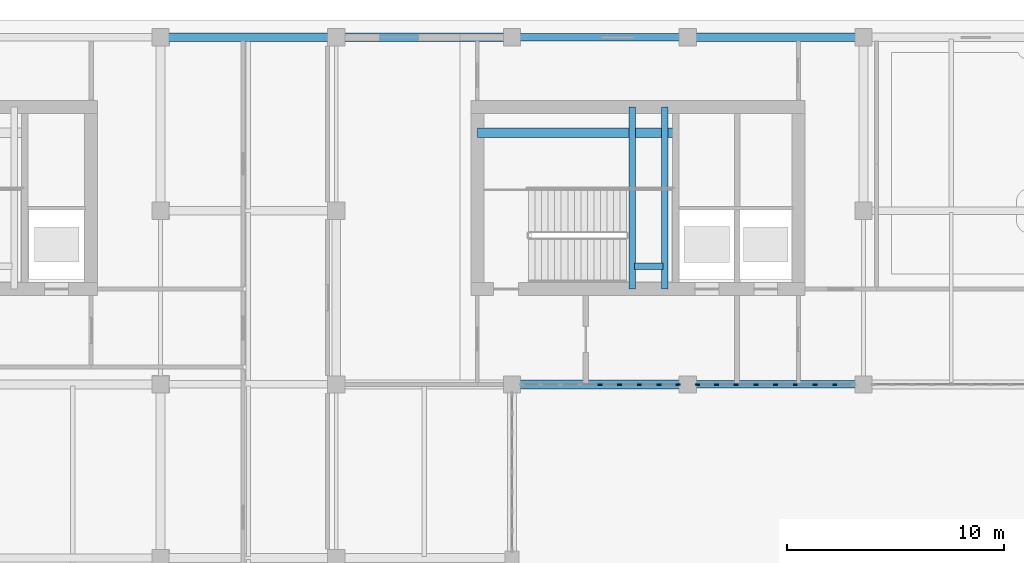
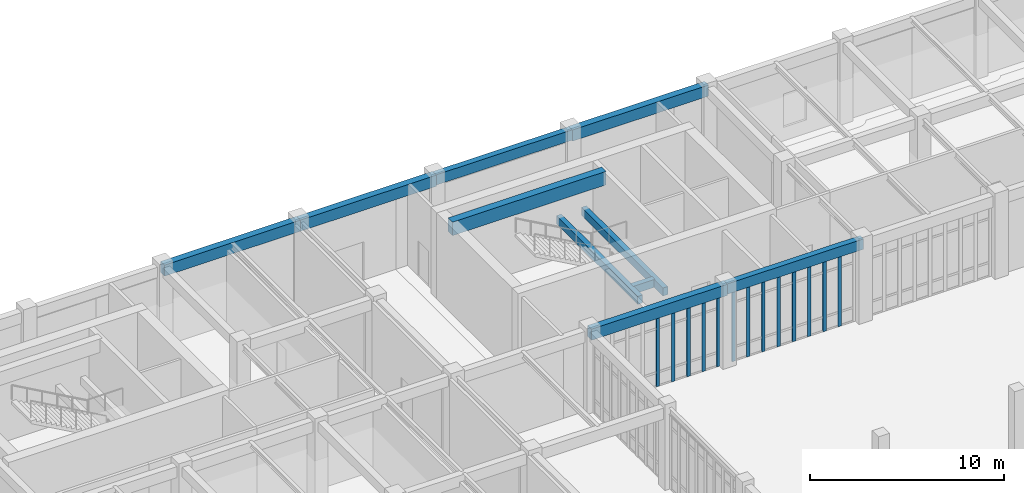
# One storey, part 15 of 62: 13 members, 10 beams, 2 elements without a shape of their own.
"""IFC4 building model written with IfcOpenShell, lengths in metres."""

from ifc_helpers import new_model, si_unit, direction, frame, origin, origin_2d, place, context, subcontext, project, spatial, rectangle, extrude, material, material_profile, profile_set, type_object, element, aggregate, save


model = new_model("IFC4")

# Units and contexts
model_context = context("Model", 3, precision=1e-05, world=origin(), true_north=direction((0.0, 1.0)))
body_context = subcontext(model_context, "Body", "Model", "MODEL_VIEW")
ifc_project = project(units=[si_unit("LENGTHUNIT", "METRE"), si_unit("AREAUNIT", "SQUARE_METRE"), si_unit("VOLUMEUNIT", "CUBIC_METRE"), si_unit("PLANEANGLEUNIT", "RADIAN"), si_unit("MASSUNIT", "GRAM", prefix="KILO")], contexts=[model_context])

# Site, building, storey
site_placement = place(None, origin())
site = spatial("IfcSite", under=ifc_project, at=site_placement, CompositionType="ELEMENT")
building_placement = place(site_placement, origin())
building = spatial("IfcBuilding", under=site, at=building_placement, Name="Tarnveldt Square Police Headquarters", CompositionType="ELEMENT")
storey_placement = place(building_placement, origin())
storey = spatial("IfcBuildingStorey", under=building, at=storey_placement, Name="L00", CompositionType="ELEMENT", Elevation=0.0)

# Beams
ifc_material_1 = material(Name="Concrete 50 MPa", Category="concrete")
ifc_material_profile_1 = material_profile(ifc_material_1, rectangle(XDim=0.449951171875, YDim=0.85009765625, at=origin_2d()), Name="RC-CB450x850")
ifc_profile_set_1 = profile_set([ifc_material_profile_1], Name="Concrete 50 MPa")
beam_type_1 = type_object("IfcBeamType", Name="BM-CB450x850", PredefinedType="BEAM", material=ifc_profile_set_1)
beam_1_placement = place(storey_placement, frame((47.0, 107.60009765625, 4.97509765625), z_axis=(1.0, 0.0, 0.0), x_axis=(0.0, 1.0, 0.0)))
element("IfcBeam", 1, at=beam_1_placement, inside=storey, type_object=beam_type_1, Name="Core K3 North-Central Forensic and Firefighting Core L00 Ductile Coupling Beam", PredefinedType="BEAM", context=body_context, shape_type="SweptSolid", body=[
    extrude(rectangle(XDim=0.449951171875, YDim=0.85009765625, at=origin_2d()), origin(), (0.0, 0.0, 1.0), 9.14990234375),
])
ifc_material_2 = material(Name="Concrete 40 MPa", Category="concrete")
ifc_material_profile_2 = material_profile(ifc_material_2, rectangle(XDim=0.300048828125, YDim=0.5, at=origin_2d()), Name="RC-B300x500")
ifc_profile_set_2 = profile_set([ifc_material_profile_2], Name="Concrete 40 MPa")
beam_type_2 = type_object("IfcBeamType", Name="BM-RC300x500", PredefinedType="BEAM", material=ifc_profile_set_2)
beam_2_placement = place(storey_placement, frame((54.14990234375, 100.39990234375, 2.25), z_axis=(0.0, 1.0, 0.0), x_axis=(-1.0, 0.0, 0.0)))
element("IfcBeam", 2, at=beam_2_placement, inside=storey, type_object=beam_type_2, Name="ST3 L00 Half-Landing Support Beam 1", PredefinedType="BEAM", context=body_context, shape_type="SweptSolid", body=[
    extrude(rectangle(XDim=0.300048828125, YDim=0.5, at=origin_2d()), origin(), (0.0, 0.0, 1.0), 8.400146484375),
])
beam_3_placement = place(storey_placement, frame((54.25, 101.449951171875, 2.25), z_axis=(1.0, 0.0, 0.0), x_axis=(0.0, 1.0, 0.0)))
element("IfcBeam", 3, at=beam_3_placement, inside=storey, type_object=beam_type_2, Name="ST3 L00 Half-Landing Support Beam 2", PredefinedType="BEAM", context=body_context, shape_type="SweptSolid", body=[
    extrude(rectangle(XDim=0.300048828125, YDim=0.5, at=origin_2d()), origin(), (0.0, 0.0, 1.0), 1.300048828125),
])
beam_4_placement = place(storey_placement, frame((55.64990234375, 100.39990234375, 2.25), z_axis=(0.0, 1.0, 0.0), x_axis=(-1.0, 0.0, 0.0)))
element("IfcBeam", 4, at=beam_4_placement, inside=storey, type_object=beam_type_2, Name="ST3 L00 Half-Landing Transverse Support Beam", PredefinedType="BEAM", context=body_context, shape_type="SweptSolid", body=[
    extrude(rectangle(XDim=0.300048828125, YDim=0.5, at=origin_2d()), origin(), (0.0, 0.0, 1.0), 8.400146484375),
])
ifc_material_profile_3 = material_profile(ifc_material_2, rectangle(XDim=0.39990234375, YDim=0.699951171875, at=origin_2d()), Name="RC-B400x700")
ifc_profile_set_3 = profile_set([ifc_material_profile_3], Name="Concrete 40 MPa")
beam_type_3 = type_object("IfcBeamType", Name="BM-RC400x700", PredefinedType="BEAM", material=ifc_profile_set_3)
beam_5_placement = place(storey_placement, frame((48.60009765625, 96.0, 4.77001953125), z_axis=(1.0, 0.0, 0.0), x_axis=(0.0, 1.0, 0.0)))
element("IfcBeam", 5, at=beam_5_placement, inside=storey, type_object=beam_type_3, Name="L01 Grid Girder X-0309", PredefinedType="BEAM", context=body_context, shape_type="SweptSolid", body=[
    extrude(rectangle(XDim=0.39990234375, YDim=0.699951171875, at=origin_2d()), origin(), (0.0, 0.0, 1.0), 8.099853515625),
])
for number, where, z_axis, x_axis, name in (
    (6, (32.39990234375, 112.0, 4.77001953125), (1.0, 0.0, 0.0), (0.0, 1.0, 0.0), "L01 Grid Girder X-0326"),
    (7, (40.5, 112.0, 4.77001953125), (1.0, 0.0, 0.0), (0.0, 1.0, 0.0), "L01 Grid Girder X-0327"),
    (8, (56.699951171875, 112.0, 4.77001953125), (1.0, 0.0, 0.0), (0.0, 1.0, 0.0), "L01 Grid Girder X-0329"),
):
    element("IfcBeam", number, at=place(storey_placement, frame(where, z_axis=z_axis, x_axis=x_axis)), inside=storey, type_object=beam_type_3, Name=name, PredefinedType="BEAM", context=body_context, shape_type="SweptSolid", body=[
        extrude(rectangle(XDim=0.39990234375, YDim=0.699951171875, at=origin_2d()), origin(), (0.0, 0.0, 1.0), 8.10009765625),
    ])
ifc_material_profile_4 = material_profile(ifc_material_2, rectangle(XDim=0.35009765625, YDim=0.64990234375, at=origin_2d()), Name="RC-SP350x650")
ifc_profile_set_4 = profile_set([ifc_material_profile_4], Name="Concrete 40 MPa")
beam_type_4 = type_object("IfcBeamType", Name="BM-SP350x650", PredefinedType="SPANDREL", material=ifc_profile_set_4)
beam_6_placement = place(storey_placement, frame((56.699951171875, 96.0, 4.794921875), z_axis=(1.0, 0.0, 0.0), x_axis=(0.0, 1.0, 0.0)))
element("IfcBeam", 9, at=beam_6_placement, inside=storey, type_object=beam_type_4, Name="L01 Grid Girder X-0310", PredefinedType="SPANDREL", context=body_context, shape_type="SweptSolid", body=[
    extrude(rectangle(XDim=0.35009765625, YDim=0.64990234375, at=origin_2d()), origin(), (0.0, 0.0, 1.0), 8.10009765625),
])
beam_7_placement = place(storey_placement, frame((48.60009765625, 112.0, 4.794921875), z_axis=(1.0, 0.0, 0.0), x_axis=(0.0, 1.0, 0.0)))
element("IfcBeam", 10, at=beam_7_placement, inside=storey, type_object=beam_type_4, Name="L01 Grid Girder X-0328", PredefinedType="SPANDREL", context=body_context, shape_type="SweptSolid", body=[
    extrude(rectangle(XDim=0.35009765625, YDim=0.64990234375, at=origin_2d()), origin(), (0.0, 0.0, 1.0), 8.099853515625),
])

# Curtain wall, members
ifc_material_3 = material(Name="Triple-glazed low-e laminated vision glass", Category="glass")
curtain_wall_type_1 = type_object("IfcCurtainWallType", Name="CW-LB-727x441", PredefinedType="USERDEFINED", material=ifc_material_3)
curtain_wall_1_placement = place(storey_placement, origin())
curtain_wall_1 = element("IfcCurtainWall", 11, at=curtain_wall_1_placement, inside=storey, type_object=curtain_wall_type_1, Name="L00 Curtain Wall CW-L00-099", ObjectType="GLAZED CURTAIN WALL", PredefinedType="USERDEFINED")
ifc_material_4 = material(Name="Thermally broken anodised aluminium 6063-T6", Category="aluminium")
ifc_material_profile_5 = material_profile(ifc_material_4, rectangle(XDim=0.074951171875, YDim=0.199951171875, at=origin_2d()), Name="CW-M75x200")
ifc_profile_set_5 = profile_set([ifc_material_profile_5], Name="Thermally broken anodised aluminium 6063-T6")
member_type = type_object("IfcMemberType", Name="CWM-75x200", PredefinedType="MULLION", material=ifc_profile_set_5)
member_1_placement = place(storey_placement, frame((52.64990234375, 96.0, 0.0), z_axis=(0.0, 0.0, 1.0), x_axis=(0.0, 1.0, 0.0)))
member_1 = element("IfcMember", 12, at=member_1_placement, type_object=member_type, Name="CW-LB56 mullion 5", PredefinedType="MULLION", context=body_context, shape_type="SweptSolid", body=[
    extrude(rectangle(XDim=0.074951171875, YDim=0.199951171875, at=origin_2d()), origin(), (0.0, 0.0, 1.0), 4.412109375),
])
member_2_placement = place(storey_placement, frame((53.558837890625, 96.0, 0.0), z_axis=(0.0, 0.0, 1.0), x_axis=(0.0, 1.0, 0.0)))
member_2 = element("IfcMember", 13, at=member_2_placement, type_object=member_type, Name="CW-LB56 mullion 6", PredefinedType="MULLION", context=body_context, shape_type="SweptSolid", body=[
    extrude(rectangle(XDim=0.074951171875, YDim=0.199951171875, at=origin_2d()), origin(), (0.0, 0.0, 1.0), 4.412109375),
])
member_3_placement = place(storey_placement, frame((54.467529296875, 96.0, 0.0), z_axis=(0.0, 0.0, 1.0), x_axis=(0.0, 1.0, 0.0)))
member_3 = element("IfcMember", 14, at=member_3_placement, type_object=member_type, Name="CW-LB56 mullion 7", PredefinedType="MULLION", context=body_context, shape_type="SweptSolid", body=[
    extrude(rectangle(XDim=0.074951171875, YDim=0.199951171875, at=origin_2d()), origin(), (0.0, 0.0, 1.0), 4.412109375),
])
member_4_placement = place(storey_placement, frame((55.376220703125, 96.0, 0.0), z_axis=(0.0, 0.0, 1.0), x_axis=(0.0, 1.0, 0.0)))
member_4 = element("IfcMember", 15, at=member_4_placement, type_object=member_type, Name="CW-LB56 mullion 8", PredefinedType="MULLION", context=body_context, shape_type="SweptSolid", body=[
    extrude(rectangle(XDim=0.074951171875, YDim=0.199951171875, at=origin_2d()), origin(), (0.0, 0.0, 1.0), 4.412109375),
])
member_5_placement = place(storey_placement, frame((56.24755859375, 96.0, 0.0), z_axis=(0.0, 0.0, 1.0), x_axis=(0.0, 1.0, 0.0)))
member_5 = element("IfcMember", 16, at=member_5_placement, type_object=member_type, Name="CW-LB56 mullion 9", PredefinedType="MULLION", context=body_context, shape_type="SweptSolid", body=[
    extrude(rectangle(XDim=0.074951171875, YDim=0.199951171875, at=origin_2d()), origin(), (0.0, 0.0, 1.0), 4.412109375),
])
aggregate(curtain_wall_1, [member_1, member_2, member_3, member_4, member_5])

curtain_wall_type_2 = type_object("IfcCurtainWallType", Name="CW-LB-727x446", PredefinedType="USERDEFINED", material=ifc_material_3)
curtain_wall_2_placement = place(storey_placement, origin())
curtain_wall_2 = element("IfcCurtainWall", 17, at=curtain_wall_2_placement, inside=storey, type_object=curtain_wall_type_2, Name="L00 Curtain Wall CW-L00-100", ObjectType="GLAZED CURTAIN WALL", PredefinedType="USERDEFINED")
member_6_placement = place(storey_placement, frame((57.152587890625, 96.0, 0.0), z_axis=(0.0, 0.0, 1.0), x_axis=(0.0, 1.0, 0.0)))
member_6 = element("IfcMember", 18, at=member_6_placement, type_object=member_type, Name="CW-LB57 mullion 1", PredefinedType="MULLION", context=body_context, shape_type="SweptSolid", body=[
    extrude(rectangle(XDim=0.074951171875, YDim=0.199951171875, at=origin_2d()), origin(), (0.0, 0.0, 1.0), 4.4619140625),
])
member_7_placement = place(storey_placement, frame((58.023681640625, 96.0, 0.0), z_axis=(0.0, 0.0, 1.0), x_axis=(0.0, 1.0, 0.0)))
member_7 = element("IfcMember", 19, at=member_7_placement, type_object=member_type, Name="CW-LB57 mullion 2", PredefinedType="MULLION", context=body_context, shape_type="SweptSolid", body=[
    extrude(rectangle(XDim=0.074951171875, YDim=0.199951171875, at=origin_2d()), origin(), (0.0, 0.0, 1.0), 4.4619140625),
])
member_8_placement = place(storey_placement, frame((58.9326171875, 96.0, 0.0), z_axis=(0.0, 0.0, 1.0), x_axis=(0.0, 1.0, 0.0)))
member_8 = element("IfcMember", 20, at=member_8_placement, type_object=member_type, Name="CW-LB57 mullion 3", PredefinedType="MULLION", context=body_context, shape_type="SweptSolid", body=[
    extrude(rectangle(XDim=0.074951171875, YDim=0.199951171875, at=origin_2d()), origin(), (0.0, 0.0, 1.0), 4.4619140625),
])
member_9_placement = place(storey_placement, frame((59.84130859375, 96.0, 0.0), z_axis=(0.0, 0.0, 1.0), x_axis=(0.0, 1.0, 0.0)))
member_9 = element("IfcMember", 21, at=member_9_placement, type_object=member_type, Name="CW-LB57 mullion 4", PredefinedType="MULLION", context=body_context, shape_type="SweptSolid", body=[
    extrude(rectangle(XDim=0.074951171875, YDim=0.199951171875, at=origin_2d()), origin(), (0.0, 0.0, 1.0), 4.4619140625),
])
member_10_placement = place(storey_placement, frame((60.75, 96.0, 0.0), z_axis=(0.0, 0.0, 1.0), x_axis=(0.0, 1.0, 0.0)))
member_10 = element("IfcMember", 22, at=member_10_placement, type_object=member_type, Name="CW-LB57 mullion 5", PredefinedType="MULLION", context=body_context, shape_type="SweptSolid", body=[
    extrude(rectangle(XDim=0.074951171875, YDim=0.199951171875, at=origin_2d()), origin(), (0.0, 0.0, 1.0), 4.4619140625),
])
member_11_placement = place(storey_placement, frame((61.65869140625, 96.0, 0.0), z_axis=(0.0, 0.0, 1.0), x_axis=(0.0, 1.0, 0.0)))
member_11 = element("IfcMember", 23, at=member_11_placement, type_object=member_type, Name="CW-LB57 mullion 6", PredefinedType="MULLION", context=body_context, shape_type="SweptSolid", body=[
    extrude(rectangle(XDim=0.074951171875, YDim=0.199951171875, at=origin_2d()), origin(), (0.0, 0.0, 1.0), 4.4619140625),
])
member_12_placement = place(storey_placement, frame((62.5673828125, 96.0, 0.0), z_axis=(0.0, 0.0, 1.0), x_axis=(0.0, 1.0, 0.0)))
member_12 = element("IfcMember", 24, at=member_12_placement, type_object=member_type, Name="CW-LB57 mullion 7", PredefinedType="MULLION", context=body_context, shape_type="SweptSolid", body=[
    extrude(rectangle(XDim=0.074951171875, YDim=0.199951171875, at=origin_2d()), origin(), (0.0, 0.0, 1.0), 4.4619140625),
])
member_13_placement = place(storey_placement, frame((63.476318359375, 96.0, 0.0), z_axis=(0.0, 0.0, 1.0), x_axis=(0.0, 1.0, 0.0)))
member_13 = element("IfcMember", 25, at=member_13_placement, type_object=member_type, Name="CW-LB57 mullion 8", PredefinedType="MULLION", context=body_context, shape_type="SweptSolid", body=[
    extrude(rectangle(XDim=0.074951171875, YDim=0.199951171875, at=origin_2d()), origin(), (0.0, 0.0, 1.0), 4.4619140625),
])
aggregate(curtain_wall_2, [member_6, member_7, member_8, member_9, member_10, member_11, member_12, member_13])

save(model, "model.ifc")
